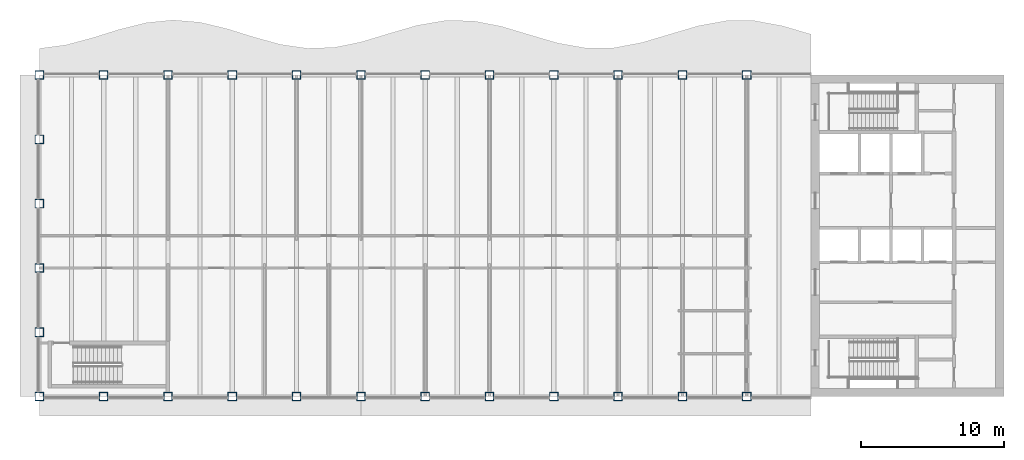
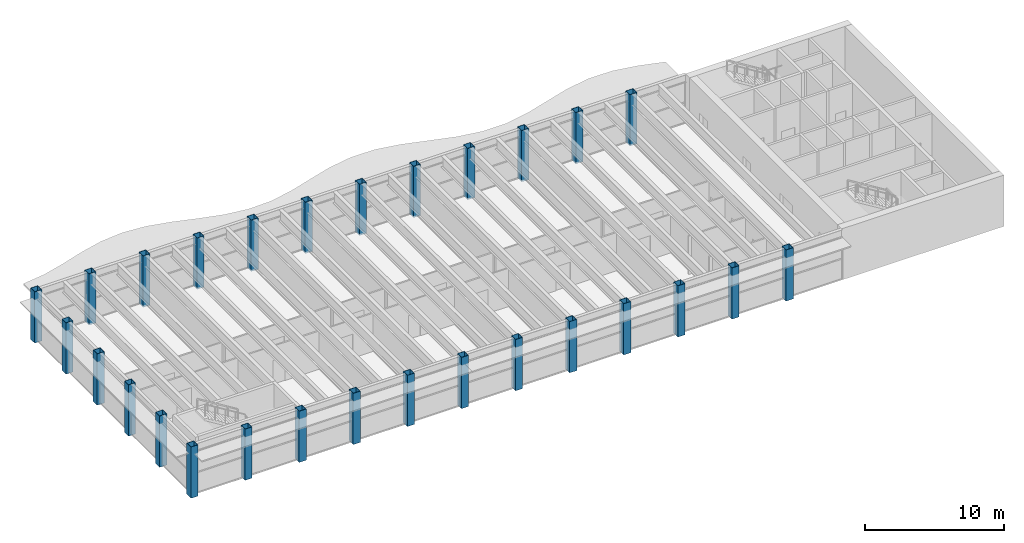
# One storey, part 1 of 14: 28 columns.
"""IFC4 building model written with IfcOpenShell, lengths in metres."""

from ifc_helpers import new_model, si_unit, direction, frame, origin, origin_2d, place, context, subcontext, project, spatial, hollow_rectangle, extrude, material, material_profile, profile_set, type_object, element, save


model = new_model("IFC4")

# Units and contexts
model_context = context("Model", 3, precision=1e-05, world=origin(), true_north=direction((0.0, 1.0)))
body_context = subcontext(model_context, "Body", "Model", "MODEL_VIEW")
ifc_project = project(units=[si_unit("LENGTHUNIT", "METRE"), si_unit("AREAUNIT", "SQUARE_METRE"), si_unit("VOLUMEUNIT", "CUBIC_METRE"), si_unit("PLANEANGLEUNIT", "RADIAN"), si_unit("MASSUNIT", "GRAM", prefix="KILO")], contexts=[model_context])

# Site, building, storey
site_placement = place(None, origin())
site = spatial("IfcSite", under=ifc_project, at=site_placement, CompositionType="ELEMENT")
building_placement = place(site_placement, origin())
building = spatial("IfcBuilding", under=site, at=building_placement, Name="Sennacour Bend Tower", CompositionType="ELEMENT")
storey_placement = place(building_placement, frame((0.0, 0.0, 327.5)))
storey = spatial("IfcBuildingStorey", under=building, at=storey_placement, Name="L75", CompositionType="ELEMENT", Elevation=327.5)

# Columns
ifc_material = material(Name="Steel ASTM A572 Grade 50", Category="steel")
ifc_material_profile = material_profile(ifc_material, hollow_rectangle(XDim=0.60009765625, YDim=0.60009765625, WallThickness=0.030029296875, at=origin_2d()), Name="Steel ASTM A572 Grade 50", Category="steel")
ifc_profile_set = profile_set([ifc_material_profile], Name="Steel ASTM A572 Grade 50")
column_type = type_object("IfcColumnType", Name="Box column 600", PredefinedType="COLUMN", material=ifc_profile_set)
for number, where, z_axis, x_axis, name in (
    (1, (0.0, 0.0, -0.14990234375), (0.0, 0.0, 1.0), (1.0, 0.0, 0.0), "Perimeter column C6 L75-001"),
    (2, (0.0, 4.5, -0.14990234375), (0.0, 0.0, 1.0), (1.0, 0.0, 0.0), "Perimeter column C6 L75-002"),
    (3, (0.0, 9.0, -0.14990234375), (0.0, 0.0, 1.0), (1.0, 0.0, 0.0), "Perimeter column C6 L75-003"),
    (4, (0.0, 13.5, -0.14990234375), (0.0, 0.0, 1.0), (1.0, 0.0, 0.0), "Perimeter column C6 L75-004"),
    (5, (0.0, 18.0, -0.14990234375), (0.0, 0.0, 1.0), (1.0, 0.0, 0.0), "Perimeter column C6 L75-005"),
    (6, (0.0, 22.5, -0.14990234375), (0.0, 0.0, 1.0), (1.0, 0.0, 0.0), "Perimeter column C6 L75-006"),
    (7, (4.5, 0.0, -0.14990234375), (0.0, 0.0, 1.0), (1.0, 0.0, 0.0), "Perimeter column C6 L75-007"),
    (8, (4.5, 22.5, -0.14990234375), (0.0, 0.0, 1.0), (1.0, 0.0, 0.0), "Perimeter column C6 L75-008"),
    (9, (9.0, 0.0, -0.14990234375), (0.0, 0.0, 1.0), (1.0, 0.0, 0.0), "Perimeter column C6 L75-009"),
    (10, (9.0, 22.5, -0.14990234375), (0.0, 0.0, 1.0), (1.0, 0.0, 0.0), "Perimeter column C6 L75-010"),
    (11, (13.5, 0.0, -0.14990234375), (0.0, 0.0, 1.0), (1.0, 0.0, 0.0), "Perimeter column C6 L75-011"),
    (12, (13.5, 22.5, -0.14990234375), (0.0, 0.0, 1.0), (1.0, 0.0, 0.0), "Perimeter column C6 L75-012"),
    (13, (18.0, 0.0, -0.14990234375), (0.0, 0.0, 1.0), (1.0, 0.0, 0.0), "Perimeter column C6 L75-013"),
    (14, (18.0, 22.5, -0.14990234375), (0.0, 0.0, 1.0), (1.0, 0.0, 0.0), "Perimeter column C6 L75-014"),
    (15, (22.5, 0.0, -0.14990234375), (0.0, 0.0, 1.0), (1.0, 0.0, 0.0), "Perimeter column C6 L75-015"),
    (16, (22.5, 22.5, -0.14990234375), (0.0, 0.0, 1.0), (1.0, 0.0, 0.0), "Perimeter column C6 L75-016"),
    (17, (27.0, 0.0, -0.14990234375), (0.0, 0.0, 1.0), (1.0, 0.0, 0.0), "Perimeter column C6 L75-017"),
    (18, (27.0, 22.5, -0.14990234375), (0.0, 0.0, 1.0), (1.0, 0.0, 0.0), "Perimeter column C6 L75-018"),
    (19, (31.5, 0.0, -0.14990234375), (0.0, 0.0, 1.0), (1.0, 0.0, 0.0), "Perimeter column C6 L75-019"),
    (20, (31.5, 22.5, -0.14990234375), (0.0, 0.0, 1.0), (1.0, 0.0, 0.0), "Perimeter column C6 L75-020"),
    (21, (36.0, 0.0, -0.14990234375), (0.0, 0.0, 1.0), (1.0, 0.0, 0.0), "Perimeter column C6 L75-021"),
    (22, (36.0, 22.5, -0.14990234375), (0.0, 0.0, 1.0), (1.0, 0.0, 0.0), "Perimeter column C6 L75-022"),
    (23, (40.5, 0.0, -0.14990234375), (0.0, 0.0, 1.0), (1.0, 0.0, 0.0), "Perimeter column C6 L75-023"),
    (24, (40.5, 22.5, -0.14990234375), (0.0, 0.0, 1.0), (1.0, 0.0, 0.0), "Perimeter column C6 L75-024"),
    (25, (45.0, 0.0, -0.14990234375), (0.0, 0.0, 1.0), (1.0, 0.0, 0.0), "Perimeter column C6 L75-025"),
    (26, (45.0, 22.5, -0.14990234375), (0.0, 0.0, 1.0), (1.0, 0.0, 0.0), "Perimeter column C6 L75-026"),
    (27, (49.5, 0.0, -0.14990234375), (0.0, 0.0, 1.0), (1.0, 0.0, 0.0), "Perimeter column C6 L75-027"),
    (28, (49.5, 22.5, -0.14990234375), (0.0, 0.0, 1.0), (1.0, 0.0, 0.0), "Perimeter column C6 L75-028"),
):
    element("IfcColumn", number, at=place(storey_placement, frame(where, z_axis=z_axis, x_axis=x_axis)), inside=storey, type_object=column_type, Name=name, PredefinedType="COLUMN", context=body_context, shape_type="SweptSolid", body=[
        extrude(hollow_rectangle(XDim=0.60009765625, YDim=0.60009765625, WallThickness=0.030029296875, at=origin_2d()), origin(), (0.0, 0.0, 1.0), 4.5),
    ])

save(model, "model.ifc")
